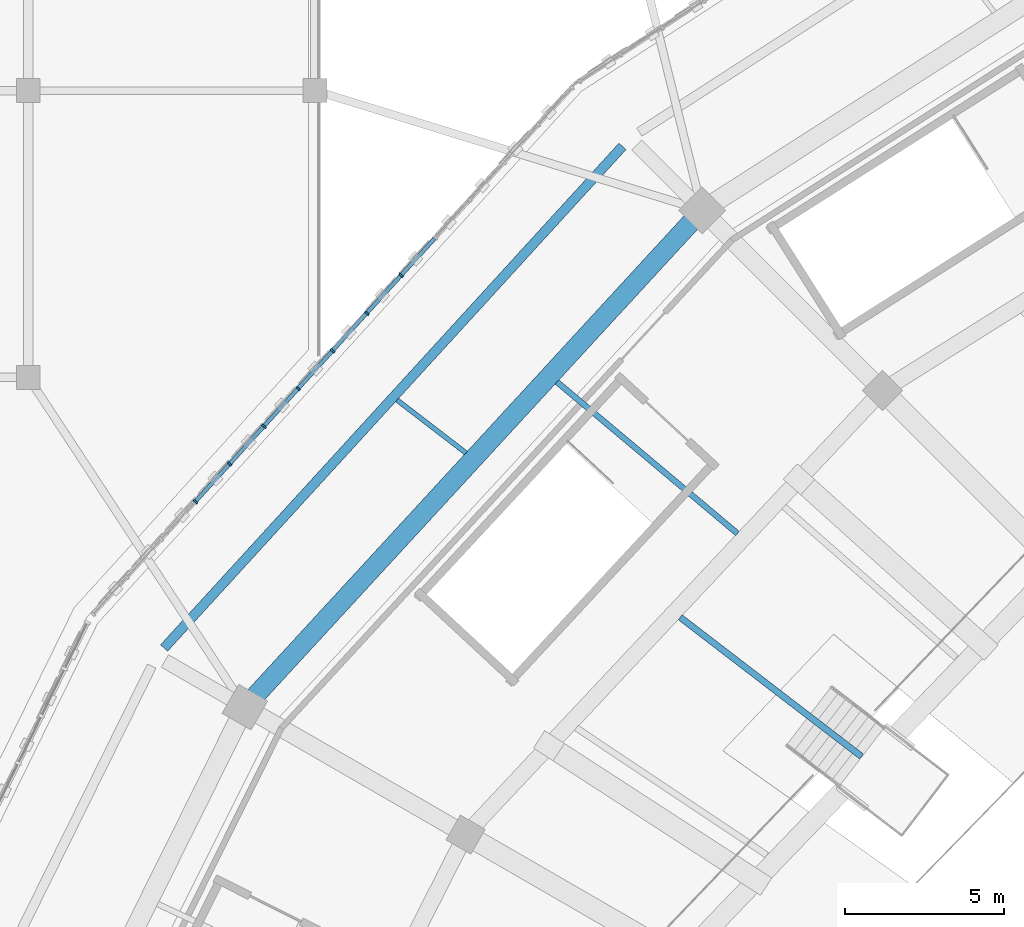
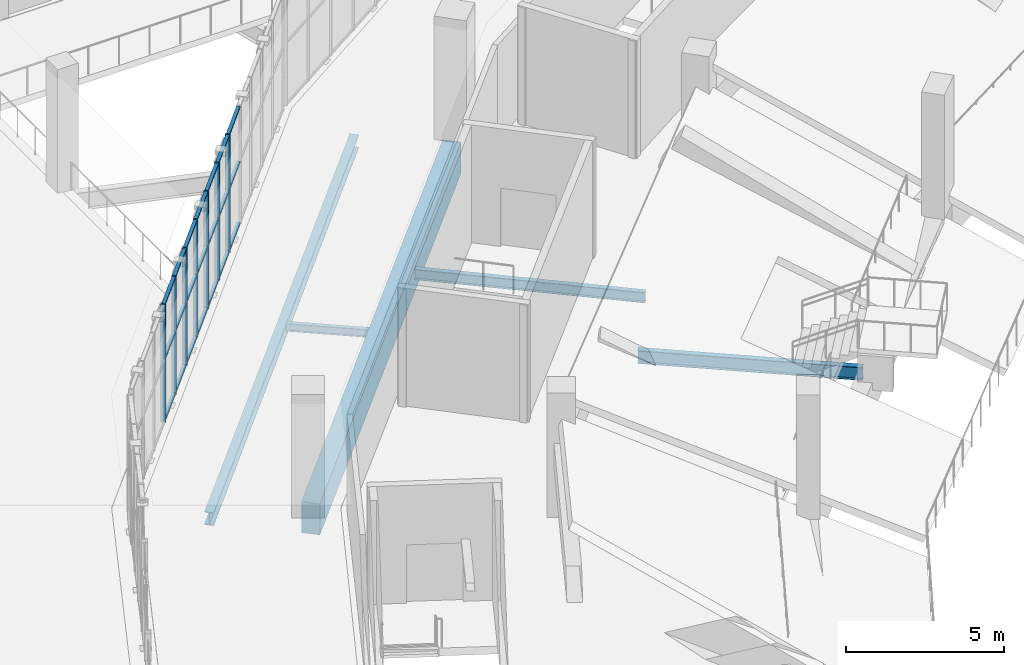
# One storey, part 46 of 152: 28 members, 5 beams, 1 element without a shape of its own.
"""IFC4 building model written with IfcOpenShell, lengths in metres."""

from ifc_helpers import new_model, si_unit, direction, frame, origin, origin_2d, place, context, subcontext, project, spatial, rectangle, i_section, extrude, material, material_profile, profile_set, type_object, element, aggregate, save


model = new_model("IFC4")

# Units and contexts
model_context = context("Model", 3, precision=1e-05, world=origin(), true_north=direction((0.0, 1.0)))
body_context = subcontext(model_context, "Body", "Model", "MODEL_VIEW")
ifc_project = project(units=[si_unit("LENGTHUNIT", "METRE"), si_unit("AREAUNIT", "SQUARE_METRE"), si_unit("VOLUMEUNIT", "CUBIC_METRE"), si_unit("PLANEANGLEUNIT", "RADIAN"), si_unit("MASSUNIT", "GRAM", prefix="KILO")], contexts=[model_context])

# Site, building, storey
site_placement = place(None, origin())
site = spatial("IfcSite", under=ifc_project, at=site_placement, CompositionType="ELEMENT")
building_placement = place(site_placement, origin())
building = spatial("IfcBuilding", under=site, at=building_placement, Name="Zevraka Park Crest Stadium", CompositionType="ELEMENT")
storey_placement = place(building_placement, frame((0.0, 0.0, 15.0)))
storey = spatial("IfcBuildingStorey", under=building, at=storey_placement, Name="L03", CompositionType="ELEMENT", Elevation=15.0)

# Curtain wall, members
ifc_material_1 = material(Name="Anodised architectural aluminium and laminated safety glass", Category="aluminium")
curtain_wall_type = type_object("IfcCurtainWallType", Name="CW13", PredefinedType="NOTDEFINED", material=ifc_material_1)
curtain_wall_placement = place(storey_placement, origin())
curtain_wall = element("IfcCurtainWall", 1, at=curtain_wall_placement, inside=storey, type_object=curtain_wall_type, Name="Unitised Ring Curtain Wall CW13 L03-09", PredefinedType="NOTDEFINED")
ifc_material_2 = material(Name="Anodised architectural aluminium", Category="aluminium")
ifc_material_profile_1 = material_profile(ifc_material_2, rectangle(XDim=0.159912109375, YDim=0.06005859375, at=origin_2d()), Name="ALU MULLION 160x60")
ifc_profile_set_1 = profile_set([ifc_material_profile_1], Name="Anodised architectural aluminium")
member_type_1 = type_object("IfcMemberType", Name="CM01", PredefinedType="MULLION", material=ifc_profile_set_1)
member_1_placement = place(storey_placement, frame((38.70166015625, 143.201416015625, 0.0), z_axis=(0.0, 0.0, 1.0), x_axis=(0.739822878481, -0.672801685845, 0.0)))
member_1 = element("IfcMember", 2, at=member_1_placement, type_object=member_type_1, Name="CW13 mullion 6", PredefinedType="MULLION", context=body_context, shape_type="SweptSolid", body=[
    extrude(rectangle(XDim=0.159912109375, YDim=0.06005859375, at=origin_2d()), origin(), (0.0, 0.0, 1.0), 4.5400390625),
])
member_2_placement = place(storey_placement, frame((37.625244140625, 142.01806640625, 0.0), z_axis=(0.0, 0.0, 1.0), x_axis=(0.739822878481, -0.672801685845, 0.0)))
member_2 = element("IfcMember", 3, at=member_2_placement, type_object=member_type_1, Name="CW13 mullion 7", PredefinedType="MULLION", context=body_context, shape_type="SweptSolid", body=[
    extrude(rectangle(XDim=0.159912109375, YDim=0.06005859375, at=origin_2d()), origin(), (0.0, 0.0, 1.0), 4.5400390625),
])
member_3_placement = place(storey_placement, frame((36.549072265625, 140.83447265625, 0.0), z_axis=(0.0, 0.0, 1.0), x_axis=(0.739822878481, -0.672801685845, 0.0)))
member_3 = element("IfcMember", 4, at=member_3_placement, type_object=member_type_1, Name="CW13 mullion 8", PredefinedType="MULLION", context=body_context, shape_type="SweptSolid", body=[
    extrude(rectangle(XDim=0.159912109375, YDim=0.06005859375, at=origin_2d()), origin(), (0.0, 0.0, 1.0), 4.5400390625),
])
member_4_placement = place(storey_placement, frame((35.47265625, 139.65087890625, 0.0), z_axis=(0.0, 0.0, 1.0), x_axis=(0.739822878481, -0.672801685845, 0.0)))
member_4 = element("IfcMember", 5, at=member_4_placement, type_object=member_type_1, Name="CW13 mullion 9", PredefinedType="MULLION", context=body_context, shape_type="SweptSolid", body=[
    extrude(rectangle(XDim=0.159912109375, YDim=0.06005859375, at=origin_2d()), origin(), (0.0, 0.0, 1.0), 4.5400390625),
])
member_5_placement = place(storey_placement, frame((34.396484375, 138.467529296875, 0.0), z_axis=(0.0, 0.0, 1.0), x_axis=(0.739822878481, -0.672801685845, 0.0)))
member_5 = element("IfcMember", 6, at=member_5_placement, type_object=member_type_1, Name="CW13 mullion 10", PredefinedType="MULLION", context=body_context, shape_type="SweptSolid", body=[
    extrude(rectangle(XDim=0.159912109375, YDim=0.06005859375, at=origin_2d()), origin(), (0.0, 0.0, 1.0), 4.5400390625),
])
member_6_placement = place(storey_placement, frame((33.320068359375, 137.283935546875, 0.0), z_axis=(0.0, 0.0, 1.0), x_axis=(0.739822878481, -0.672801685845, 0.0)))
member_6 = element("IfcMember", 7, at=member_6_placement, type_object=member_type_1, Name="CW13 mullion 11", PredefinedType="MULLION", context=body_context, shape_type="SweptSolid", body=[
    extrude(rectangle(XDim=0.159912109375, YDim=0.06005859375, at=origin_2d()), origin(), (0.0, 0.0, 1.0), 4.5400390625),
])
member_7_placement = place(storey_placement, frame((32.243896484375, 136.1005859375, 0.0), z_axis=(0.0, 0.0, 1.0), x_axis=(0.739822878481, -0.672801685845, 0.0)))
member_7 = element("IfcMember", 8, at=member_7_placement, type_object=member_type_1, Name="CW13 mullion 12", PredefinedType="MULLION", context=body_context, shape_type="SweptSolid", body=[
    extrude(rectangle(XDim=0.159912109375, YDim=0.06005859375, at=origin_2d()), origin(), (0.0, 0.0, 1.0), 4.5400390625),
])
ifc_material_3 = material(Name="Anodised architectural aluminium", Category="aluminium")
ifc_material_profile_2 = material_profile(ifc_material_3, rectangle(XDim=0.1201171875, YDim=0.06005859375, at=origin_2d()), Name="ALU TRANSOM 120x60")
ifc_profile_set_2 = profile_set([ifc_material_profile_2], Name="Anodised architectural aluminium")
member_type_2 = type_object("IfcMemberType", Name="CT01", PredefinedType="USERDEFINED", material=ifc_profile_set_2)
member_8_placement = place(storey_placement, frame((39.757568359375, 144.36279296875, 0.030029296875), z_axis=(-0.672775385986, -0.739846794959, 0.0), x_axis=(0.739846794959, -0.672775385986, 0.0)))
member_8 = element("IfcMember", 9, at=member_8_placement, type_object=member_type_2, Name="CW13 transom 5.1", ObjectType="TRANSOM", PredefinedType="USERDEFINED", context=body_context, shape_type="SweptSolid", body=[
    extrude(rectangle(XDim=0.1201171875, YDim=0.06005859375, at=origin_2d()), origin(), (0.0, 0.0, 1.0), 1.539794921875),
])
member_9_placement = place(storey_placement, frame((39.757568359375, 144.36279296875, 2.39990234375), z_axis=(-0.672775385986, -0.739846794959, 0.0), x_axis=(0.739846794959, -0.672775385986, 0.0)))
member_9 = element("IfcMember", 10, at=member_9_placement, type_object=member_type_2, Name="CW13 transom 5.2", ObjectType="TRANSOM", PredefinedType="USERDEFINED", context=body_context, shape_type="SweptSolid", body=[
    extrude(rectangle(XDim=0.1201171875, YDim=0.06005859375, at=origin_2d()), origin(), (0.0, 0.0, 1.0), 1.539794921875),
])
member_10_placement = place(storey_placement, frame((39.757568359375, 144.36279296875, 4.510009765625), z_axis=(-0.672775385986, -0.739846794959, 0.0), x_axis=(0.739846794959, -0.672775385986, 0.0)))
member_10 = element("IfcMember", 11, at=member_10_placement, type_object=member_type_2, Name="CW13 transom 5.3", ObjectType="TRANSOM", PredefinedType="USERDEFINED", context=body_context, shape_type="SweptSolid", body=[
    extrude(rectangle(XDim=0.1201171875, YDim=0.06005859375, at=origin_2d()), origin(), (0.0, 0.0, 1.0), 1.539794921875),
])
member_11_placement = place(storey_placement, frame((38.681396484375, 143.17919921875, 0.030029296875), z_axis=(-0.672854315392, -0.73977501327, 0.0), x_axis=(0.73977501327, -0.672854315392, 0.0)))
member_11 = element("IfcMember", 12, at=member_11_placement, type_object=member_type_2, Name="CW13 transom 6.1", ObjectType="TRANSOM", PredefinedType="USERDEFINED", context=body_context, shape_type="SweptSolid", body=[
    extrude(rectangle(XDim=0.1201171875, YDim=0.06005859375, at=origin_2d()), origin(), (0.0, 0.0, 1.0), 1.53955078125),
])
member_12_placement = place(storey_placement, frame((38.681396484375, 143.17919921875, 2.39990234375), z_axis=(-0.672854315392, -0.73977501327, 0.0), x_axis=(0.73977501327, -0.672854315392, 0.0)))
member_12 = element("IfcMember", 13, at=member_12_placement, type_object=member_type_2, Name="CW13 transom 6.2", ObjectType="TRANSOM", PredefinedType="USERDEFINED", context=body_context, shape_type="SweptSolid", body=[
    extrude(rectangle(XDim=0.1201171875, YDim=0.06005859375, at=origin_2d()), origin(), (0.0, 0.0, 1.0), 1.53955078125),
])
member_13_placement = place(storey_placement, frame((38.681396484375, 143.17919921875, 4.510009765625), z_axis=(-0.672854315392, -0.73977501327, 0.0), x_axis=(0.73977501327, -0.672854315392, 0.0)))
member_13 = element("IfcMember", 14, at=member_13_placement, type_object=member_type_2, Name="CW13 transom 6.3", ObjectType="TRANSOM", PredefinedType="USERDEFINED", context=body_context, shape_type="SweptSolid", body=[
    extrude(rectangle(XDim=0.1201171875, YDim=0.06005859375, at=origin_2d()), origin(), (0.0, 0.0, 1.0), 1.53955078125),
])
member_14_placement = place(storey_placement, frame((37.60498046875, 141.995849609375, 0.030029296875), z_axis=(-0.672775385986, -0.739846794959, 0.0), x_axis=(0.739846794959, -0.672775385986, 0.0)))
member_14 = element("IfcMember", 15, at=member_14_placement, type_object=member_type_2, Name="CW13 transom 7.1", ObjectType="TRANSOM", PredefinedType="USERDEFINED", context=body_context, shape_type="SweptSolid", body=[
    extrude(rectangle(XDim=0.1201171875, YDim=0.06005859375, at=origin_2d()), origin(), (0.0, 0.0, 1.0), 1.539794921875),
])
member_15_placement = place(storey_placement, frame((37.60498046875, 141.995849609375, 2.39990234375), z_axis=(-0.672775385986, -0.739846794959, 0.0), x_axis=(0.739846794959, -0.672775385986, 0.0)))
member_15 = element("IfcMember", 16, at=member_15_placement, type_object=member_type_2, Name="CW13 transom 7.2", ObjectType="TRANSOM", PredefinedType="USERDEFINED", context=body_context, shape_type="SweptSolid", body=[
    extrude(rectangle(XDim=0.1201171875, YDim=0.06005859375, at=origin_2d()), origin(), (0.0, 0.0, 1.0), 1.539794921875),
])
member_16_placement = place(storey_placement, frame((37.60498046875, 141.995849609375, 4.510009765625), z_axis=(-0.672775385986, -0.739846794959, 0.0), x_axis=(0.739846794959, -0.672775385986, 0.0)))
member_16 = element("IfcMember", 17, at=member_16_placement, type_object=member_type_2, Name="CW13 transom 7.3", ObjectType="TRANSOM", PredefinedType="USERDEFINED", context=body_context, shape_type="SweptSolid", body=[
    extrude(rectangle(XDim=0.1201171875, YDim=0.06005859375, at=origin_2d()), origin(), (0.0, 0.0, 1.0), 1.539794921875),
])
member_17_placement = place(storey_placement, frame((36.52880859375, 140.812255859375, 0.030029296875), z_axis=(-0.672775385986, -0.739846794959, 0.0), x_axis=(0.739846794959, -0.672775385986, 0.0)))
member_17 = element("IfcMember", 18, at=member_17_placement, type_object=member_type_2, Name="CW13 transom 8.1", ObjectType="TRANSOM", PredefinedType="USERDEFINED", context=body_context, shape_type="SweptSolid", body=[
    extrude(rectangle(XDim=0.1201171875, YDim=0.06005859375, at=origin_2d()), origin(), (0.0, 0.0, 1.0), 1.539794921875),
])
member_18_placement = place(storey_placement, frame((36.52880859375, 140.812255859375, 2.39990234375), z_axis=(-0.672775385986, -0.739846794959, 0.0), x_axis=(0.739846794959, -0.672775385986, 0.0)))
member_18 = element("IfcMember", 19, at=member_18_placement, type_object=member_type_2, Name="CW13 transom 8.2", ObjectType="TRANSOM", PredefinedType="USERDEFINED", context=body_context, shape_type="SweptSolid", body=[
    extrude(rectangle(XDim=0.1201171875, YDim=0.06005859375, at=origin_2d()), origin(), (0.0, 0.0, 1.0), 1.539794921875),
])
member_19_placement = place(storey_placement, frame((36.52880859375, 140.812255859375, 4.510009765625), z_axis=(-0.672775385986, -0.739846794959, 0.0), x_axis=(0.739846794959, -0.672775385986, 0.0)))
member_19 = element("IfcMember", 20, at=member_19_placement, type_object=member_type_2, Name="CW13 transom 8.3", ObjectType="TRANSOM", PredefinedType="USERDEFINED", context=body_context, shape_type="SweptSolid", body=[
    extrude(rectangle(XDim=0.1201171875, YDim=0.06005859375, at=origin_2d()), origin(), (0.0, 0.0, 1.0), 1.539794921875),
])
member_20_placement = place(storey_placement, frame((35.45263671875, 139.62890625, 0.030029296875), z_axis=(-0.672862164291, -0.739767874313, 0.0), x_axis=(0.739767874313, -0.672862164291, 0.0)))
member_20 = element("IfcMember", 21, at=member_20_placement, type_object=member_type_2, Name="CW13 transom 9.1", ObjectType="TRANSOM", PredefinedType="USERDEFINED", context=body_context, shape_type="SweptSolid", body=[
    extrude(rectangle(XDim=0.1201171875, YDim=0.06005859375, at=origin_2d()), origin(), (0.0, 0.0, 1.0), 1.539794921875),
])
member_21_placement = place(storey_placement, frame((35.45263671875, 139.62890625, 2.39990234375), z_axis=(-0.672862164291, -0.739767874313, 0.0), x_axis=(0.739767874313, -0.672862164291, 0.0)))
member_21 = element("IfcMember", 22, at=member_21_placement, type_object=member_type_2, Name="CW13 transom 9.2", ObjectType="TRANSOM", PredefinedType="USERDEFINED", context=body_context, shape_type="SweptSolid", body=[
    extrude(rectangle(XDim=0.1201171875, YDim=0.06005859375, at=origin_2d()), origin(), (0.0, 0.0, 1.0), 1.539794921875),
])
member_22_placement = place(storey_placement, frame((35.45263671875, 139.62890625, 4.510009765625), z_axis=(-0.672862164291, -0.739767874313, 0.0), x_axis=(0.739767874313, -0.672862164291, 0.0)))
member_22 = element("IfcMember", 23, at=member_22_placement, type_object=member_type_2, Name="CW13 transom 9.3", ObjectType="TRANSOM", PredefinedType="USERDEFINED", context=body_context, shape_type="SweptSolid", body=[
    extrude(rectangle(XDim=0.1201171875, YDim=0.06005859375, at=origin_2d()), origin(), (0.0, 0.0, 1.0), 1.539794921875),
])
member_23_placement = place(storey_placement, frame((34.376220703125, 138.4453125, 0.030029296875), z_axis=(-0.672775385986, -0.739846794959, 0.0), x_axis=(0.739846794959, -0.672775385986, 0.0)))
member_23 = element("IfcMember", 24, at=member_23_placement, type_object=member_type_2, Name="CW13 transom 10.1", ObjectType="TRANSOM", PredefinedType="USERDEFINED", context=body_context, shape_type="SweptSolid", body=[
    extrude(rectangle(XDim=0.1201171875, YDim=0.06005859375, at=origin_2d()), origin(), (0.0, 0.0, 1.0), 1.539794921875),
])
member_24_placement = place(storey_placement, frame((34.376220703125, 138.4453125, 2.39990234375), z_axis=(-0.672775385986, -0.739846794959, 0.0), x_axis=(0.739846794959, -0.672775385986, 0.0)))
member_24 = element("IfcMember", 25, at=member_24_placement, type_object=member_type_2, Name="CW13 transom 10.2", ObjectType="TRANSOM", PredefinedType="USERDEFINED", context=body_context, shape_type="SweptSolid", body=[
    extrude(rectangle(XDim=0.1201171875, YDim=0.06005859375, at=origin_2d()), origin(), (0.0, 0.0, 1.0), 1.539794921875),
])
member_25_placement = place(storey_placement, frame((34.376220703125, 138.4453125, 4.510009765625), z_axis=(-0.672775385986, -0.739846794959, 0.0), x_axis=(0.739846794959, -0.672775385986, 0.0)))
member_25 = element("IfcMember", 26, at=member_25_placement, type_object=member_type_2, Name="CW13 transom 10.3", ObjectType="TRANSOM", PredefinedType="USERDEFINED", context=body_context, shape_type="SweptSolid", body=[
    extrude(rectangle(XDim=0.1201171875, YDim=0.06005859375, at=origin_2d()), origin(), (0.0, 0.0, 1.0), 1.539794921875),
])
member_26_placement = place(storey_placement, frame((33.300048828125, 137.26171875, 0.030029296875), z_axis=(-0.672854315392, -0.73977501327, 0.0), x_axis=(0.73977501327, -0.672854315392, 0.0)))
member_26 = element("IfcMember", 27, at=member_26_placement, type_object=member_type_2, Name="CW13 transom 11.1", ObjectType="TRANSOM", PredefinedType="USERDEFINED", context=body_context, shape_type="SweptSolid", body=[
    extrude(rectangle(XDim=0.1201171875, YDim=0.06005859375, at=origin_2d()), origin(), (0.0, 0.0, 1.0), 1.53955078125),
])
member_27_placement = place(storey_placement, frame((33.300048828125, 137.26171875, 2.39990234375), z_axis=(-0.672854315392, -0.73977501327, 0.0), x_axis=(0.73977501327, -0.672854315392, 0.0)))
member_27 = element("IfcMember", 28, at=member_27_placement, type_object=member_type_2, Name="CW13 transom 11.2", ObjectType="TRANSOM", PredefinedType="USERDEFINED", context=body_context, shape_type="SweptSolid", body=[
    extrude(rectangle(XDim=0.1201171875, YDim=0.06005859375, at=origin_2d()), origin(), (0.0, 0.0, 1.0), 1.53955078125),
])
member_28_placement = place(storey_placement, frame((33.300048828125, 137.26171875, 4.510009765625), z_axis=(-0.672854315392, -0.73977501327, 0.0), x_axis=(0.73977501327, -0.672854315392, 0.0)))
member_28 = element("IfcMember", 29, at=member_28_placement, type_object=member_type_2, Name="CW13 transom 11.3", ObjectType="TRANSOM", PredefinedType="USERDEFINED", context=body_context, shape_type="SweptSolid", body=[
    extrude(rectangle(XDim=0.1201171875, YDim=0.06005859375, at=origin_2d()), origin(), (0.0, 0.0, 1.0), 1.53955078125),
])
aggregate(curtain_wall, [member_1, member_2, member_3, member_4, member_5, member_6, member_7, member_8, member_9, member_10, member_11, member_12, member_13, member_14, member_15, member_16, member_17, member_18, member_19, member_20, member_21, member_22, member_23, member_24, member_25, member_26, member_27, member_28])

# Beams
ifc_material_4 = material(Name="Concrete C40/50", Category="concrete")
ifc_material_profile_3 = material_profile(ifc_material_4, rectangle(XDim=0.60009765625, YDim=1.199951171875, at=origin_2d()), Name="RC 1200x600")
ifc_profile_set_3 = profile_set([ifc_material_profile_3], Name="Concrete C40/50")
beam_type_1 = type_object("IfcBeamType", Name="RB01", PredefinedType="BEAM", material=ifc_profile_set_3)
beam_1_placement = place(storey_placement, frame((47.89111328125, 144.965087890625, -0.610107421875), z_axis=(-0.677158252403, -0.735837414924, 0.0), x_axis=(0.735837414924, -0.677158252403, 0.0)))
element("IfcBeam", 30, at=beam_1_placement, inside=storey, type_object=beam_type_1, Name="Ring Beam RB01 L03-D-09", PredefinedType="BEAM", context=body_context, shape_type="SweptSolid", body=[
    extrude(rectangle(XDim=0.60009765625, YDim=1.199951171875, at=origin_2d()), origin(), (0.0, 0.0, 1.0), 20.4326171875),
])
ifc_material_5 = material(Name="Steel S355", Category="steel")
ifc_material_profile_4 = material_profile(ifc_material_5, i_section(OverallWidth=0.300048828125, OverallDepth=0.5, WebThickness=0.014404296875, FlangeThickness=0.028076171875, at=origin_2d()), Name="HEB 500")
ifc_profile_set_4 = profile_set([ifc_material_profile_4], Name="Steel S355")
beam_type_2 = type_object("IfcBeamType", Name="RB05", PredefinedType="BEAM", material=ifc_profile_set_4)
beam_2_placement = place(storey_placement, frame((45.64990234375, 147.25, -0.60498046875), z_axis=(-0.674624342029, -0.738161227065, 0.0), x_axis=(0.738161227065, -0.674624342029, 0.0)))
element("IfcBeam", 31, at=beam_2_placement, inside=storey, type_object=beam_type_2, Name="Ring Beam RB05 L03-E-09", PredefinedType="BEAM", context=body_context, shape_type="SweptSolid", body=[
    extrude(i_section(OverallWidth=0.300048828125, OverallDepth=0.5, WebThickness=0.014404296875, FlangeThickness=0.028076171875, at=origin_2d()), origin(), (0.0, 0.0, 1.0), 21.325927734375),
])
ifc_material_6 = material(Name="Steel S355", Category="steel")
ifc_material_profile_5 = material_profile(ifc_material_6, i_section(OverallWidth=0.14990234375, OverallDepth=0.300048828125, WebThickness=0.007080078125, FlangeThickness=0.0107421875, at=origin_2d()), Name="IPE 300")
ifc_profile_set_5 = profile_set([ifc_material_profile_5], Name="Steel S355")
beam_type_3 = type_object("IfcBeamType", Name="SJ01", PredefinedType="JOIST", material=ifc_profile_set_5)
beam_3_placement = place(storey_placement, frame((40.739013671875, 137.626953125, -0.4580078125), z_axis=(-0.793128631587, 0.609054163238, 0.0), x_axis=(-0.609054163238, -0.793128631587, 0.0)))
element("IfcBeam", 32, at=beam_3_placement, inside=storey, type_object=beam_type_3, Name="Floor Joist SJ01 L03-DE-09-1", PredefinedType="JOIST", context=body_context, shape_type="SweptSolid", body=[
    extrude(i_section(OverallWidth=0.14990234375, OverallDepth=0.300048828125, WebThickness=0.007080078125, FlangeThickness=0.0107421875, at=origin_2d()), origin(), (0.0, 0.0, 1.0), 2.732177734375),
])
ifc_material_7 = material(Name="Steel S355", Category="steel")
ifc_material_profile_6 = material_profile(ifc_material_7, i_section(OverallWidth=0.179931640625, OverallDepth=0.39990234375, WebThickness=0.008544921875, FlangeThickness=0.013427734375, at=origin_2d()), Name="IPE 400")
ifc_profile_set_6 = profile_set([ifc_material_profile_6], Name="Steel S355")
beam_type_4 = type_object("IfcBeamType", Name="SJ09", PredefinedType="JOIST", material=ifc_profile_set_6)
beam_4_placement = place(storey_placement, frame((49.258056640625, 135.10009765625, -0.508056640625), z_axis=(-0.765933630726, 0.642919647642, 0.0), x_axis=(-0.642919647642, -0.765933630726, 0.0)))
element("IfcBeam", 33, at=beam_4_placement, inside=storey, type_object=beam_type_4, Name="Floor Joist SJ09 L03-CD-09-1", PredefinedType="JOIST", context=body_context, shape_type="SweptSolid", body=[
    extrude(i_section(OverallWidth=0.179931640625, OverallDepth=0.39990234375, WebThickness=0.008544921875, FlangeThickness=0.013427734375, at=origin_2d()), origin(), (0.0, 0.0, 1.0), 7.398681640625),
])
ifc_material_8 = material(Name="Steel S355", Category="steel")
ifc_material_profile_7 = material_profile(ifc_material_8, i_section(OverallWidth=0.199951171875, OverallDepth=0.5, WebThickness=0.01025390625, FlangeThickness=0.01611328125, at=origin_2d()), Name="IPE 500")
ifc_profile_set_7 = profile_set([ifc_material_profile_7], Name="Steel S355")
beam_type_5 = type_object("IfcBeamType", Name="SJ10", PredefinedType="JOIST", material=ifc_profile_set_7)
beam_5_placement = place(storey_placement, frame((53.15087890625, 128.10302734375, -0.55810546875), z_axis=(-0.793343347731, 0.608774451346, 0.0), x_axis=(-0.608774451346, -0.793343347731, 0.0)))
element("IfcBeam", 34, at=beam_5_placement, inside=storey, type_object=beam_type_5, Name="Floor Joist SJ10 L03-BC-09-2", PredefinedType="JOIST", context=body_context, shape_type="SweptSolid", body=[
    extrude(i_section(OverallWidth=0.199951171875, OverallDepth=0.5, WebThickness=0.01025390625, FlangeThickness=0.01611328125, at=origin_2d()), origin(), (0.0, 0.0, 1.0), 7.17333984375),
])

save(model, "model.ifc")
